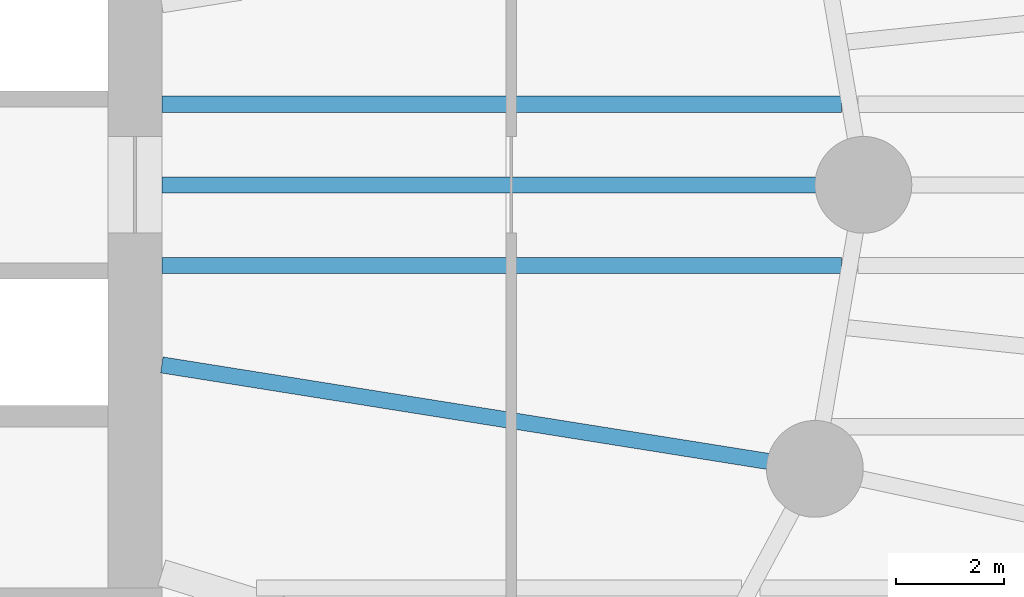
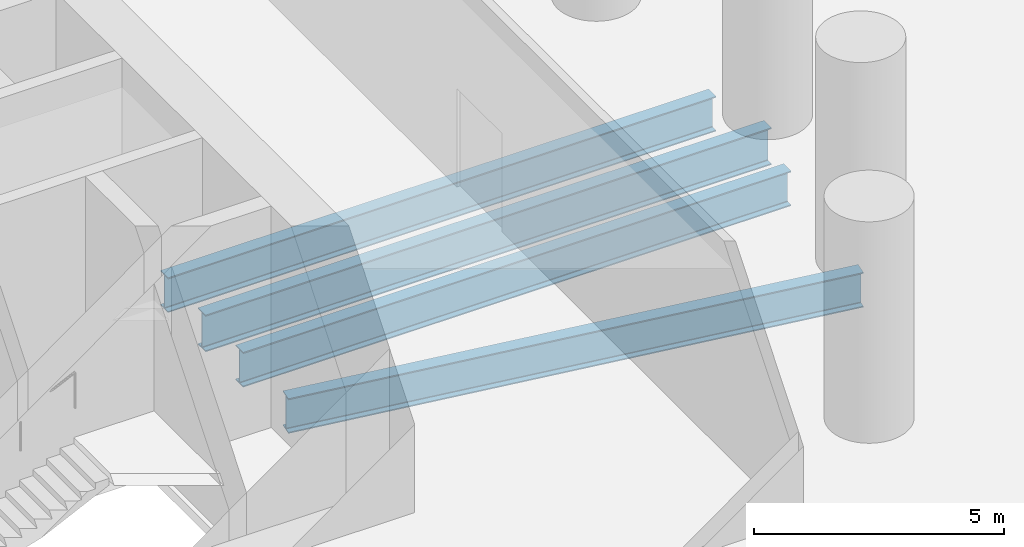
# One storey, part 6 of 21: 4 beams.
"""IFC4 building model written with IfcOpenShell, lengths in metres."""

from ifc_helpers import new_model, si_unit, direction, frame, origin, origin_2d, place, context, subcontext, project, spatial, i_section, extrude, material, material_profile, profile_set, type_object, element, save


model = new_model("IFC4")

# Units and contexts
model_context = context("Model", 3, precision=1e-05, world=origin(), true_north=direction((0.0, 1.0)))
body_context = subcontext(model_context, "Body", "Model", "MODEL_VIEW")
ifc_project = project(units=[si_unit("LENGTHUNIT", "METRE"), si_unit("AREAUNIT", "SQUARE_METRE"), si_unit("VOLUMEUNIT", "CUBIC_METRE"), si_unit("PLANEANGLEUNIT", "RADIAN"), si_unit("MASSUNIT", "GRAM", prefix="KILO")], contexts=[model_context])

# Site, building, storey
site_placement = place(None, origin())
site = spatial("IfcSite", under=ifc_project, at=site_placement, CompositionType="ELEMENT")
building_placement = place(site_placement, origin())
building = spatial("IfcBuilding", under=site, at=building_placement, Name="Hankou Lantern Tower", CompositionType="ELEMENT")
storey_placement = place(building_placement, frame((0.0, 0.0, 13.800048828125)))
storey = spatial("IfcBuildingStorey", under=building, at=storey_placement, Name="L02", CompositionType="ELEMENT", Elevation=13.800048828125)

# Beams
ifc_material_1 = material(Name="Steel Q355B", Category="steel")
ifc_material_profile_1 = material_profile(ifc_material_1, i_section(OverallWidth=0.300048828125, OverallDepth=0.85009765625, WebThickness=0.01611328125, FlangeThickness=0.027099609375, FilletRadius=0.01806640625, at=origin_2d()), Name="HN850x300x16x27")
ifc_profile_set_1 = profile_set([ifc_material_profile_1], Name="Steel Q355B")
beam_type_1 = type_object("IfcBeamType", Name="RB12 RADIAL BEAM HN850x300x16x27", PredefinedType="BEAM", material=ifc_profile_set_1)
beam_1_placement = place(storey_placement, frame((12.5, -3.349365234375, -0.675048828125), z_axis=(0.987563081343, -0.157223281893, 0.0), x_axis=(0.157223281893, 0.987563081343, 0.0)))
element("IfcBeam", 1, at=beam_1_placement, inside=storey, type_object=beam_type_1, Name="Radial beam R24 L02", PredefinedType="BEAM", context=body_context, shape_type="SweptSolid", body=[
    extrude(i_section(OverallWidth=0.300048828125, OverallDepth=0.85009765625, WebThickness=0.01611328125, FlangeThickness=0.027099609375, FilletRadius=0.01806640625, at=origin_2d()), origin(), (0.0, 0.0, 1.0), 12.300048828125),
])
ifc_material_2 = material(Name="Steel Q355B", Category="steel")
ifc_material_profile_2 = material_profile(ifc_material_2, i_section(OverallWidth=0.300048828125, OverallDepth=0.89990234375, WebThickness=0.01611328125, FlangeThickness=0.028076171875, FilletRadius=0.01806640625, at=origin_2d()), Name="HN900x300x16x28")
ifc_profile_set_2 = profile_set([ifc_material_profile_2], Name="Steel Q355B")
beam_type_2 = type_object("IfcBeamType", Name="RB13 RADIAL BEAM HN900x300x16x28", PredefinedType="BEAM", material=ifc_profile_set_2)
beam_2_placement = place(storey_placement, frame((12.5, 0.0, -0.699951171875), z_axis=(1.0, 0.0, 0.0), x_axis=(0.0, 1.0, 0.0)))
element("IfcBeam", 2, at=beam_2_placement, inside=storey, type_object=beam_type_2, Name="Radial beam R01 L02", PredefinedType="BEAM", context=body_context, shape_type="SweptSolid", body=[
    extrude(i_section(OverallWidth=0.300048828125, OverallDepth=0.89990234375, WebThickness=0.01611328125, FlangeThickness=0.028076171875, FilletRadius=0.01806640625, at=origin_2d()), origin(), (0.0, 0.0, 1.0), 13.050048828125),
])
ifc_material_3 = material(Name="Steel Q355B", Category="steel")
ifc_material_profile_3 = material_profile(ifc_material_3, i_section(OverallWidth=0.300048828125, OverallDepth=0.85009765625, WebThickness=0.01611328125, FlangeThickness=0.027099609375, FilletRadius=0.01806640625, at=origin_2d()), Name="HN850x300x16x27")
ifc_profile_set_3 = profile_set([ifc_material_profile_3], Name="Steel Q355B")
beam_type_3 = type_object("IfcBeamType", Name="SB12 SECONDARY BEAM HN850x300x16x27", PredefinedType="JOIST", material=ifc_profile_set_3)
for number, where, z_axis, x_axis, name in (
    (3, (12.5, -1.5, -0.675048828125), (1.0, 0.0, 0.0), (0.0, 1.0, 0.0), "Floor joist J083 L02"),
    (4, (12.5, 1.5, -0.675048828125), (1.0, 0.0, 0.0), (0.0, 1.0, 0.0), "Floor joist J087 L02"),
):
    element("IfcBeam", number, at=place(storey_placement, frame(where, z_axis=z_axis, x_axis=x_axis)), inside=storey, type_object=beam_type_3, Name=name, PredefinedType="JOIST", context=body_context, shape_type="SweptSolid", body=[
        extrude(i_section(OverallWidth=0.300048828125, OverallDepth=0.85009765625, WebThickness=0.01611328125, FlangeThickness=0.027099609375, FilletRadius=0.01806640625, at=origin_2d()), origin(), (0.0, 0.0, 1.0), 12.641357421875),
    ])

save(model, "model.ifc")
